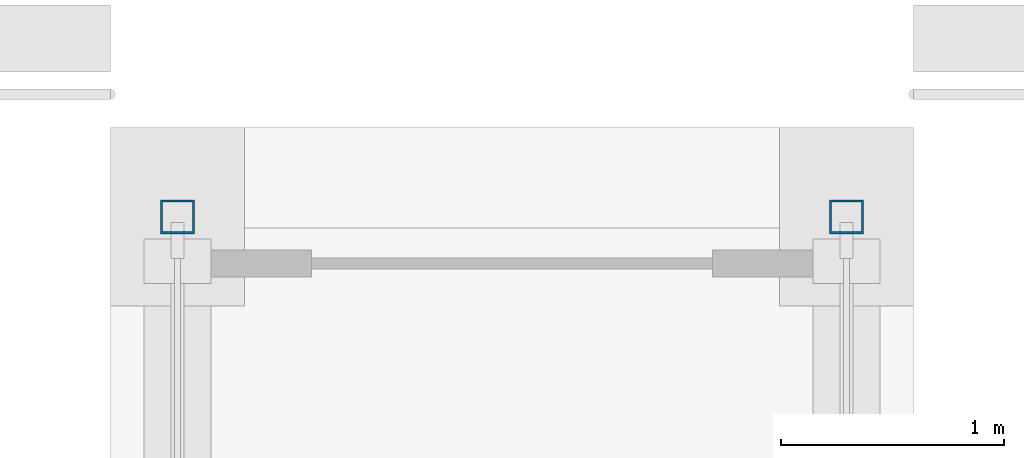
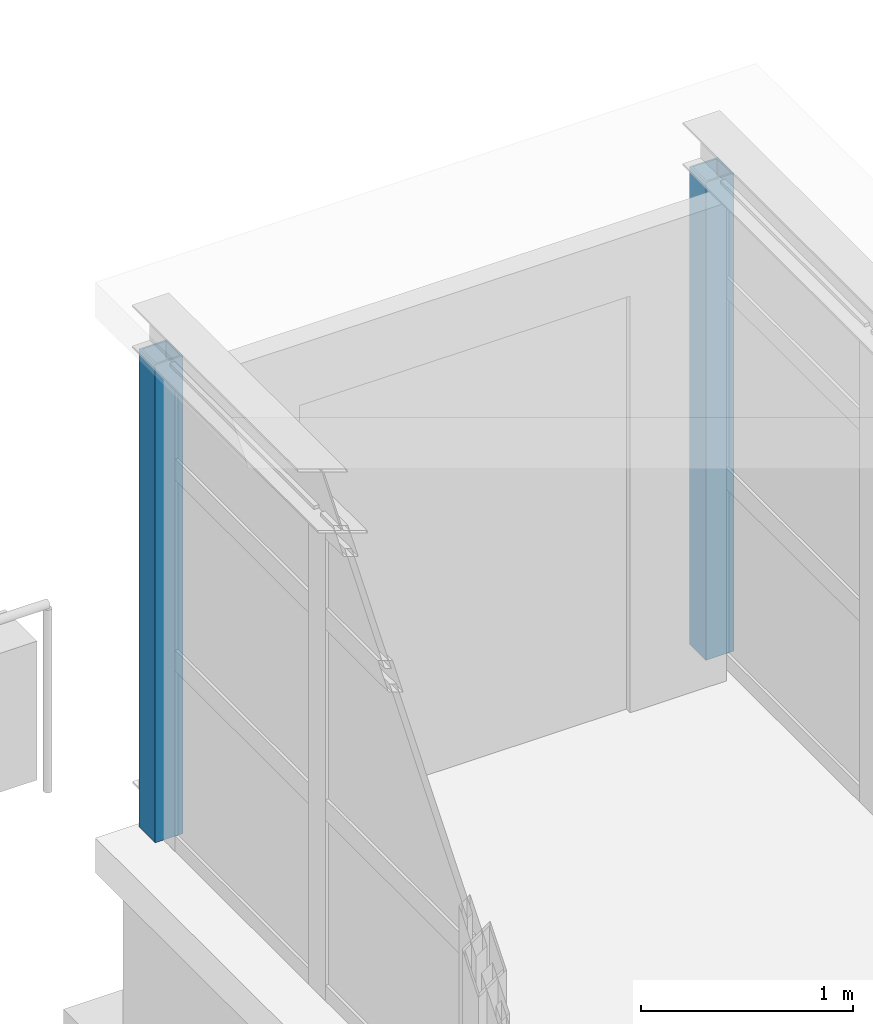
# One storey, part 19 of 131: 2 columns.
"""IFC4 building model written with IfcOpenShell, lengths in metres."""

import ifcopenshell
import ifcopenshell.guid

model = None  # the IFC model being written
_history = None  # IfcOwnerHistory: only IFC2X3 demands one
_inside = {}  # id of a spatial element -> (the spatial element, [elements in it])
_under = {}  # id of a project, library or spatial element -> (it, [spatial elements below it])
_declared = {}  # id of a project -> (the project, [libraries it declares])
_typed = {}  # id of a type object -> (the type object, [elements of that type])
_made_of = {}  # id of a material, layer set ... -> (it, [elements and type objects made of it])


def new_model(schema):
    """Start an empty IFC model of exactly this schema.

    Asked for "IFC4X3", IfcOpenShell would pick the latest addendum, in which some entities
    have other attributes; the version numbers below select the first issue.
    IFC2X3 requires an IfcOwnerHistory on every rooted entity: one is made here for all.
    """
    global model, _history
    if schema == "IFC4X3":
        model = ifcopenshell.file(schema_version=(4, 3, 0, 0))
    else:
        model = ifcopenshell.file(schema=schema)
    _inside.clear()
    _under.clear()
    _declared.clear()
    _typed.clear()
    _made_of.clear()
    _history = None
    if model.schema == "IFC2X3":
        org = make("IfcOrganization", Name="unknown")
        user = make(
            "IfcPersonAndOrganization",
            ThePerson=make("IfcPerson", FamilyName="unknown"),
            TheOrganization=org,
        )
        app = make(
            "IfcApplication",
            ApplicationDeveloper=org,
            Version="unknown",
            ApplicationFullName="unknown",
            ApplicationIdentifier="unknown",
        )
        _history = make(
            "IfcOwnerHistory",
            OwningUser=user,
            OwningApplication=app,
            ChangeAction="ADDED",
            CreationDate=0,
        )
    return model


def make(cls, **values):
    """One entity of the class cls with the attributes given. An attribute that is None is left unset."""
    return model.create_entity(
        cls, **{name: value for name, value in values.items() if value is not None}
    )


def rooted(cls, **values):
    """An entity with a GlobalId (a new one), such as an element, a storey or a relation."""
    return make(cls, GlobalId=ifcopenshell.guid.new(), OwnerHistory=_history, **values)


def si_unit(unit_type, name, prefix=None):
    """IfcSIUnit, for example si_unit("LENGTHUNIT", "METRE", prefix="MILLI")."""
    return make("IfcSIUnit", UnitType=unit_type, Prefix=prefix, Name=name)


def assignment(units):
    """IfcUnitAssignment: the units of a project."""
    return None if units is None else make("IfcUnitAssignment", Units=units)


def point(xyz):
    """IfcCartesianPoint."""
    return None if xyz is None else make("IfcCartesianPoint", Coordinates=xyz)


def direction(xyz):
    """IfcDirection."""
    return None if xyz is None else make("IfcDirection", DirectionRatios=xyz)


def frame(location, z_axis=None, x_axis=None):
    """IfcAxis2Placement3D, a coordinate frame: its origin and axes. An axis left out is left unset."""
    return make(
        "IfcAxis2Placement3D",
        Location=point(location),
        Axis=direction(z_axis),
        RefDirection=direction(x_axis),
    )


def frame_2d(location, x_axis=None):
    """IfcAxis2Placement2D, a coordinate frame in the plane: its origin and x axis."""
    return make(
        "IfcAxis2Placement2D", Location=point(location), RefDirection=direction(x_axis)
    )


def origin():
    """The frame at (0, 0, 0) with its axes left unset."""
    return frame((0.0, 0.0, 0.0))


def origin_2d():
    """The frame at (0, 0) in the plane with its x axis left unset."""
    return frame_2d((0.0, 0.0))


def place(relative_to, where):
    """IfcLocalPlacement: puts the frame where relative to a parent placement (None: the world)."""
    return make(
        "IfcLocalPlacement", PlacementRelTo=relative_to, RelativePlacement=where
    )


def context(
    kind, dimensions, precision=None, world=None, true_north=None, identifier=None
):
    """IfcGeometricRepresentationContext, for example the 3D "Model" context."""
    return make(
        "IfcGeometricRepresentationContext",
        ContextIdentifier=identifier,
        ContextType=kind,
        CoordinateSpaceDimension=dimensions,
        Precision=precision,
        WorldCoordinateSystem=world,
        TrueNorth=true_north,
    )


def subcontext(parent, identifier, kind, view, scale=None):
    """IfcGeometricRepresentationSubContext, for example "Body" below "Model"."""
    return make(
        "IfcGeometricRepresentationSubContext",
        ContextIdentifier=identifier,
        ContextType=kind,
        ParentContext=parent,
        TargetScale=scale,
        TargetView=view,
    )


def project(units=None, contexts=None):
    """IfcProject with its units and contexts."""
    return rooted(
        "IfcProject",
        Name="project",
        RepresentationContexts=contexts,
        UnitsInContext=assignment(units),
    )


def spatial(cls, under=None, at=None, **own):
    """A site, building, storey or space (cls), placed at a placement, below another one or the project."""
    s = rooted(cls, ObjectPlacement=at, **own)
    if under is not None:
        _under.setdefault(under.id(), (under, []))[1].append(s)
    return s


def profile(cls, at=None, kind="AREA", **sizes):
    """A parametric profile (cls). Its sizes go by their IFC names, for example OverallWidth=200.0."""
    return make(cls, ProfileType=kind, Position=at, **sizes)


def hollow_rectangle(**sizes):
    """IfcRectangleHollowProfileDef."""
    return profile("IfcRectangleHollowProfileDef", **sizes)


def extrude(swept, where, along, depth):
    """IfcExtrudedAreaSolid: the profile swept, set in the frame where, extruded along a direction by depth."""
    return make(
        "IfcExtrudedAreaSolid",
        SweptArea=swept,
        Position=where,
        ExtrudedDirection=direction(along),
        Depth=depth,
    )


def shape(context_of_items, identifier, shape_type, items):
    """IfcShapeRepresentation: the items that make up one representation, for example the "Body"."""
    return make(
        "IfcShapeRepresentation",
        ContextOfItems=context_of_items,
        RepresentationIdentifier=identifier,
        RepresentationType=shape_type,
        Items=items,
    )


def material(Name=None, Category=None):
    """IfcMaterial."""
    return make("IfcMaterial", Name=Name, Category=Category)


def material_profile(
    of_material, cross_section, Name=None, Category=None, Priority=None
):
    """IfcMaterialProfile: a cross section and its material."""
    return make(
        "IfcMaterialProfile",
        Name=Name,
        Material=of_material,
        Profile=cross_section,
        Priority=Priority,
        Category=Category,
    )


def profile_set(profiles, Name=None, composite=None):
    """IfcMaterialProfileSet."""
    return make(
        "IfcMaterialProfileSet",
        Name=Name,
        MaterialProfiles=profiles,
        CompositeProfile=composite,
    )


def made_of(thing, what):
    """Note that an element or type object is made of a material, layer set ...; save() writes the relation."""
    if what is not None:
        _made_of.setdefault(what.id(), (what, []))[1].append(thing)
    return thing


def type_object(cls, material=None, **own):
    """A type object (cls), such as IfcWallType, which elements share."""
    return made_of(rooted(cls, **own), material)


def element(
    cls,
    number,
    at=None,
    inside=None,
    cuts=None,
    type_object=None,
    material=None,
    context=None,
    identifier="Body",
    shape_type=None,
    held_by="IfcProductDefinitionShape",
    body=None,
    shapes=None,
    **own,
):
    """One element of the class cls, such as IfcWall. Its Tag is "e" and its number.

    at: its placement. inside: the storey or other place that contains it. cuts: it is an
    opening in that element (IfcRelVoidsElement). A single representation is given by context,
    identifier, shape_type and body (its items); several are given by shapes. held_by: the class
    of the entity that holds the representations. save() writes the other relations.
    """
    e = rooted(cls, Tag="e%d" % number, ObjectPlacement=at, **own)
    if body is not None:
        shapes = [shape(context, identifier, shape_type, body)]
    if shapes is not None:
        e.Representation = make(held_by, Representations=shapes)
    if inside is not None:
        _inside.setdefault(inside.id(), (inside, []))[1].append(e)
    if cuts is not None:
        rooted(
            "IfcRelVoidsElement", RelatingBuildingElement=cuts, RelatedOpeningElement=e
        )
    if type_object is not None:
        _typed.setdefault(type_object.id(), (type_object, []))[1].append(e)
    return made_of(e, material)


def aggregate(whole, parts):
    """IfcRelAggregates: a whole, such as a stair, and the parts it consists of."""
    return rooted("IfcRelAggregates", RelatingObject=whole, RelatedObjects=parts)


def save(model, path):
    """Write the relations noted so far, then the file.

    IfcRelAggregates (storeys below a building ...), IfcRelContainedInSpatialStructure (elements
    in a storey), IfcRelDefinesByType, IfcRelAssociatesMaterial and IfcRelDeclares: one each for
    every whole, place, type object, material and project.
    """
    for whole, parts in _under.values():
        aggregate(whole, parts)
    for where, things in _inside.values():
        rooted(
            "IfcRelContainedInSpatialStructure",
            RelatedElements=things,
            RelatingStructure=where,
        )
    for kind, things in _typed.values():
        rooted("IfcRelDefinesByType", RelatedObjects=things, RelatingType=kind)
    for what, things in _made_of.values():
        rooted("IfcRelAssociatesMaterial", RelatedObjects=things, RelatingMaterial=what)
    for by, libraries in _declared.values():
        rooted("IfcRelDeclares", RelatingContext=by, RelatedDefinitions=libraries)
    model.write(path)


model = new_model("IFC4")

# Units and contexts
model_context = context("Model", 3, precision=1e-05, world=origin(), true_north=direction((0.0, 1.0)))
body_context = subcontext(model_context, "Body", "Model", "MODEL_VIEW")
ifc_project = project(units=[si_unit("LENGTHUNIT", "METRE"), si_unit("AREAUNIT", "SQUARE_METRE"), si_unit("VOLUMEUNIT", "CUBIC_METRE"), si_unit("PLANEANGLEUNIT", "RADIAN"), si_unit("MASSUNIT", "GRAM", prefix="KILO")], contexts=[model_context])

# Site, building, storey
site_placement = place(None, origin())
site = spatial("IfcSite", under=ifc_project, at=site_placement, CompositionType="ELEMENT")
building_placement = place(site_placement, origin())
building = spatial("IfcBuilding", under=site, at=building_placement, Name="Alderwick Market Hall", CompositionType="ELEMENT")
storey_placement = place(building_placement, frame((0.0, 0.0, 4.800048828125)))
storey = spatial("IfcBuildingStorey", under=building, at=storey_placement, Name="L00", CompositionType="ELEMENT", Elevation=4.800048828125)

# Columns
ifc_material = material(Name="Steel ASTM A500 Grade C", Category="steel")
ifc_material_profile = material_profile(ifc_material, hollow_rectangle(XDim=0.152099609375, YDim=0.152099609375, WallThickness=0.009521484375, at=origin_2d()), Name="HSS152x152x9.5")
ifc_profile_set = profile_set([ifc_material_profile], Name="Steel ASTM A500 Grade C")
column_type = type_object("IfcColumnType", Name="P HSS Column 152x152x9.5", PredefinedType="COLUMN", material=ifc_profile_set)
for number, where, z_axis, x_axis, name in (
    (1, (72.300048828125, 114.800048828125, 0.0), (0.0, 0.0, 1.0), (1.0, 0.0, 0.0), "P.P1.col.a2"),
    (2, (75.300048828125, 114.800048828125, 0.0), (0.0, 0.0, 1.0), (1.0, 0.0, 0.0), "P.P1.col.b2"),
):
    element("IfcColumn", number, at=place(storey_placement, frame(where, z_axis=z_axis, x_axis=x_axis)), inside=storey, type_object=column_type, Name=name, PredefinedType="COLUMN", context=body_context, shape_type="SweptSolid", body=[
        extrude(hollow_rectangle(XDim=0.152099609375, YDim=0.152099609375, WallThickness=0.009521484375, at=origin_2d()), origin(), (0.0, 0.0, 1.0), 2.7529296875),
    ])

save(model, "model.ifc")
